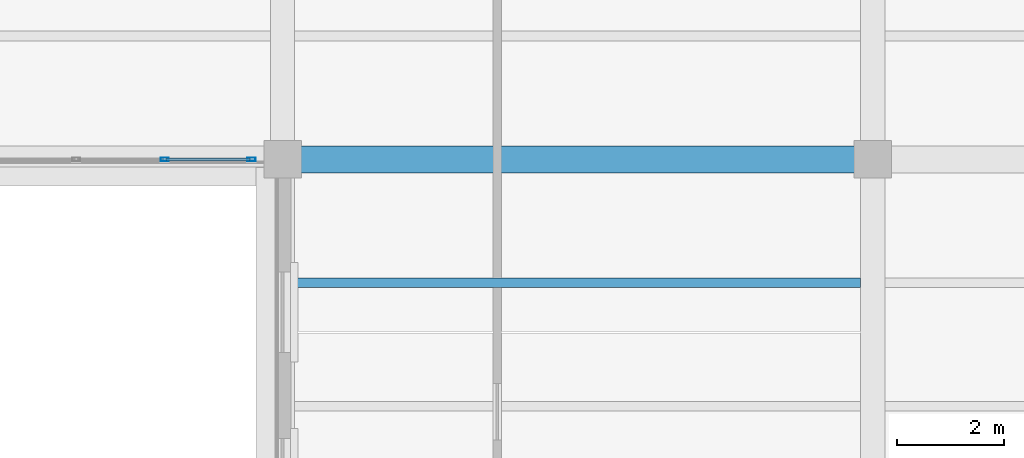
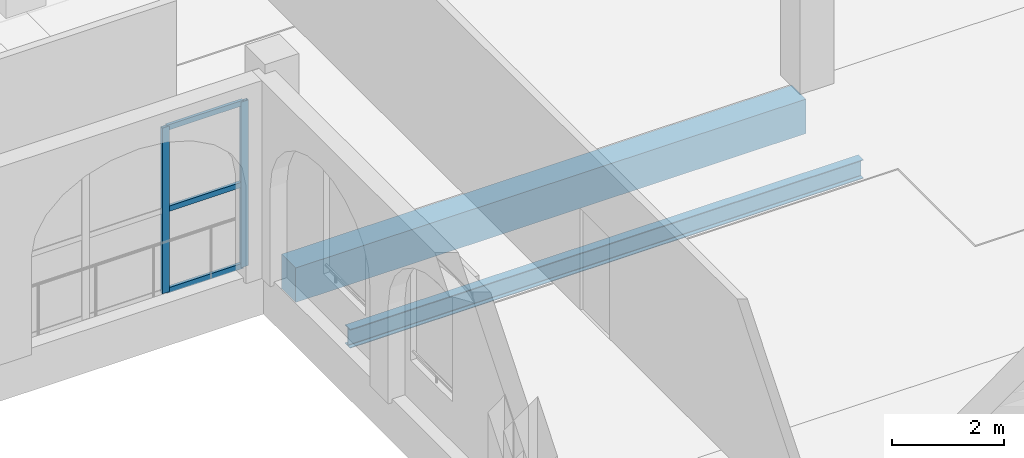
# One storey, part 58 of 156: 5 members, 2 beams, 1 element without a shape of its own.
"""IFC4 building model written with IfcOpenShell, lengths in metres."""

import ifcopenshell
import ifcopenshell.guid

model = None  # the IFC model being written
_history = None  # IfcOwnerHistory: only IFC2X3 demands one
_inside = {}  # id of a spatial element -> (the spatial element, [elements in it])
_under = {}  # id of a project, library or spatial element -> (it, [spatial elements below it])
_declared = {}  # id of a project -> (the project, [libraries it declares])
_typed = {}  # id of a type object -> (the type object, [elements of that type])
_made_of = {}  # id of a material, layer set ... -> (it, [elements and type objects made of it])


def new_model(schema):
    """Start an empty IFC model of exactly this schema.

    Asked for "IFC4X3", IfcOpenShell would pick the latest addendum, in which some entities
    have other attributes; the version numbers below select the first issue.
    IFC2X3 requires an IfcOwnerHistory on every rooted entity: one is made here for all.
    """
    global model, _history
    if schema == "IFC4X3":
        model = ifcopenshell.file(schema_version=(4, 3, 0, 0))
    else:
        model = ifcopenshell.file(schema=schema)
    _inside.clear()
    _under.clear()
    _declared.clear()
    _typed.clear()
    _made_of.clear()
    _history = None
    if model.schema == "IFC2X3":
        org = make("IfcOrganization", Name="unknown")
        user = make(
            "IfcPersonAndOrganization",
            ThePerson=make("IfcPerson", FamilyName="unknown"),
            TheOrganization=org,
        )
        app = make(
            "IfcApplication",
            ApplicationDeveloper=org,
            Version="unknown",
            ApplicationFullName="unknown",
            ApplicationIdentifier="unknown",
        )
        _history = make(
            "IfcOwnerHistory",
            OwningUser=user,
            OwningApplication=app,
            ChangeAction="ADDED",
            CreationDate=0,
        )
    return model


def make(cls, **values):
    """One entity of the class cls with the attributes given. An attribute that is None is left unset."""
    return model.create_entity(
        cls, **{name: value for name, value in values.items() if value is not None}
    )


def rooted(cls, **values):
    """An entity with a GlobalId (a new one), such as an element, a storey or a relation."""
    return make(cls, GlobalId=ifcopenshell.guid.new(), OwnerHistory=_history, **values)


def si_unit(unit_type, name, prefix=None):
    """IfcSIUnit, for example si_unit("LENGTHUNIT", "METRE", prefix="MILLI")."""
    return make("IfcSIUnit", UnitType=unit_type, Prefix=prefix, Name=name)


def assignment(units):
    """IfcUnitAssignment: the units of a project."""
    return None if units is None else make("IfcUnitAssignment", Units=units)


def point(xyz):
    """IfcCartesianPoint."""
    return None if xyz is None else make("IfcCartesianPoint", Coordinates=xyz)


def direction(xyz):
    """IfcDirection."""
    return None if xyz is None else make("IfcDirection", DirectionRatios=xyz)


def frame(location, z_axis=None, x_axis=None):
    """IfcAxis2Placement3D, a coordinate frame: its origin and axes. An axis left out is left unset."""
    return make(
        "IfcAxis2Placement3D",
        Location=point(location),
        Axis=direction(z_axis),
        RefDirection=direction(x_axis),
    )


def frame_2d(location, x_axis=None):
    """IfcAxis2Placement2D, a coordinate frame in the plane: its origin and x axis."""
    return make(
        "IfcAxis2Placement2D", Location=point(location), RefDirection=direction(x_axis)
    )


def origin():
    """The frame at (0, 0, 0) with its axes left unset."""
    return frame((0.0, 0.0, 0.0))


def origin_2d():
    """The frame at (0, 0) in the plane with its x axis left unset."""
    return frame_2d((0.0, 0.0))


def place(relative_to, where):
    """IfcLocalPlacement: puts the frame where relative to a parent placement (None: the world)."""
    return make(
        "IfcLocalPlacement", PlacementRelTo=relative_to, RelativePlacement=where
    )


def context(
    kind, dimensions, precision=None, world=None, true_north=None, identifier=None
):
    """IfcGeometricRepresentationContext, for example the 3D "Model" context."""
    return make(
        "IfcGeometricRepresentationContext",
        ContextIdentifier=identifier,
        ContextType=kind,
        CoordinateSpaceDimension=dimensions,
        Precision=precision,
        WorldCoordinateSystem=world,
        TrueNorth=true_north,
    )


def subcontext(parent, identifier, kind, view, scale=None):
    """IfcGeometricRepresentationSubContext, for example "Body" below "Model"."""
    return make(
        "IfcGeometricRepresentationSubContext",
        ContextIdentifier=identifier,
        ContextType=kind,
        ParentContext=parent,
        TargetScale=scale,
        TargetView=view,
    )


def project(units=None, contexts=None):
    """IfcProject with its units and contexts."""
    return rooted(
        "IfcProject",
        Name="project",
        RepresentationContexts=contexts,
        UnitsInContext=assignment(units),
    )


def spatial(cls, under=None, at=None, **own):
    """A site, building, storey or space (cls), placed at a placement, below another one or the project."""
    s = rooted(cls, ObjectPlacement=at, **own)
    if under is not None:
        _under.setdefault(under.id(), (under, []))[1].append(s)
    return s


def profile(cls, at=None, kind="AREA", **sizes):
    """A parametric profile (cls). Its sizes go by their IFC names, for example OverallWidth=200.0."""
    return make(cls, ProfileType=kind, Position=at, **sizes)


def rectangle(**sizes):
    """IfcRectangleProfileDef."""
    return profile("IfcRectangleProfileDef", **sizes)


def hollow_rectangle(**sizes):
    """IfcRectangleHollowProfileDef."""
    return profile("IfcRectangleHollowProfileDef", **sizes)


def i_section(**sizes):
    """IfcIShapeProfileDef."""
    return profile("IfcIShapeProfileDef", **sizes)


def extrude(swept, where, along, depth):
    """IfcExtrudedAreaSolid: the profile swept, set in the frame where, extruded along a direction by depth."""
    return make(
        "IfcExtrudedAreaSolid",
        SweptArea=swept,
        Position=where,
        ExtrudedDirection=direction(along),
        Depth=depth,
    )


def shape(context_of_items, identifier, shape_type, items):
    """IfcShapeRepresentation: the items that make up one representation, for example the "Body"."""
    return make(
        "IfcShapeRepresentation",
        ContextOfItems=context_of_items,
        RepresentationIdentifier=identifier,
        RepresentationType=shape_type,
        Items=items,
    )


def material(Name=None, Category=None):
    """IfcMaterial."""
    return make("IfcMaterial", Name=Name, Category=Category)


def material_profile(
    of_material, cross_section, Name=None, Category=None, Priority=None
):
    """IfcMaterialProfile: a cross section and its material."""
    return make(
        "IfcMaterialProfile",
        Name=Name,
        Material=of_material,
        Profile=cross_section,
        Priority=Priority,
        Category=Category,
    )


def profile_set(profiles, Name=None, composite=None):
    """IfcMaterialProfileSet."""
    return make(
        "IfcMaterialProfileSet",
        Name=Name,
        MaterialProfiles=profiles,
        CompositeProfile=composite,
    )


def made_of(thing, what):
    """Note that an element or type object is made of a material, layer set ...; save() writes the relation."""
    if what is not None:
        _made_of.setdefault(what.id(), (what, []))[1].append(thing)
    return thing


def type_object(cls, material=None, **own):
    """A type object (cls), such as IfcWallType, which elements share."""
    return made_of(rooted(cls, **own), material)


def element(
    cls,
    number,
    at=None,
    inside=None,
    cuts=None,
    type_object=None,
    material=None,
    context=None,
    identifier="Body",
    shape_type=None,
    held_by="IfcProductDefinitionShape",
    body=None,
    shapes=None,
    **own,
):
    """One element of the class cls, such as IfcWall. Its Tag is "e" and its number.

    at: its placement. inside: the storey or other place that contains it. cuts: it is an
    opening in that element (IfcRelVoidsElement). A single representation is given by context,
    identifier, shape_type and body (its items); several are given by shapes. held_by: the class
    of the entity that holds the representations. save() writes the other relations.
    """
    e = rooted(cls, Tag="e%d" % number, ObjectPlacement=at, **own)
    if body is not None:
        shapes = [shape(context, identifier, shape_type, body)]
    if shapes is not None:
        e.Representation = make(held_by, Representations=shapes)
    if inside is not None:
        _inside.setdefault(inside.id(), (inside, []))[1].append(e)
    if cuts is not None:
        rooted(
            "IfcRelVoidsElement", RelatingBuildingElement=cuts, RelatedOpeningElement=e
        )
    if type_object is not None:
        _typed.setdefault(type_object.id(), (type_object, []))[1].append(e)
    return made_of(e, material)


def aggregate(whole, parts):
    """IfcRelAggregates: a whole, such as a stair, and the parts it consists of."""
    return rooted("IfcRelAggregates", RelatingObject=whole, RelatedObjects=parts)


def save(model, path):
    """Write the relations noted so far, then the file.

    IfcRelAggregates (storeys below a building ...), IfcRelContainedInSpatialStructure (elements
    in a storey), IfcRelDefinesByType, IfcRelAssociatesMaterial and IfcRelDeclares: one each for
    every whole, place, type object, material and project.
    """
    for whole, parts in _under.values():
        aggregate(whole, parts)
    for where, things in _inside.values():
        rooted(
            "IfcRelContainedInSpatialStructure",
            RelatedElements=things,
            RelatingStructure=where,
        )
    for kind, things in _typed.values():
        rooted("IfcRelDefinesByType", RelatedObjects=things, RelatingType=kind)
    for what, things in _made_of.values():
        rooted("IfcRelAssociatesMaterial", RelatedObjects=things, RelatingMaterial=what)
    for by, libraries in _declared.values():
        rooted("IfcRelDeclares", RelatingContext=by, RelatedDefinitions=libraries)
    model.write(path)


model = new_model("IFC4")

# Units and contexts
model_context = context("Model", 3, precision=1e-05, world=origin(), true_north=direction((0.0, 1.0)))
body_context = subcontext(model_context, "Body", "Model", "MODEL_VIEW")
ifc_project = project(units=[si_unit("LENGTHUNIT", "METRE"), si_unit("AREAUNIT", "SQUARE_METRE"), si_unit("VOLUMEUNIT", "CUBIC_METRE"), si_unit("PLANEANGLEUNIT", "RADIAN"), si_unit("MASSUNIT", "GRAM", prefix="KILO")], contexts=[model_context])

# Site, building, storey
site_placement = place(None, origin())
site = spatial("IfcSite", under=ifc_project, at=site_placement, CompositionType="ELEMENT")
building_placement = place(site_placement, origin())
building = spatial("IfcBuilding", under=site, at=building_placement, Name="Caurita Quay Ferry Terminal", CompositionType="ELEMENT")
storey_placement = place(building_placement, frame((0.0, 0.0, 5.39990234375)))
storey = spatial("IfcBuildingStorey", under=building, at=storey_placement, Name="L01", CompositionType="ELEMENT", Elevation=5.39990234375)

# Beams
ifc_material_1 = material(Name="Structural steel ASTM A992 Gr. 50", Category="steel")
ifc_material_profile_1 = material_profile(ifc_material_1, i_section(OverallWidth=0.1787109375, OverallDepth=0.408935546875, WebThickness=0.0087890625, FlangeThickness=0.014404296875, FilletRadius=0.011474609375, at=origin_2d()), Name="W16X45")
ifc_profile_set_1 = profile_set([ifc_material_profile_1], Name="Structural steel ASTM A992 Gr. 50")
beam_type_1 = type_object("IfcBeamType", Name="BM-JS-W16A", PredefinedType="JOIST", material=ifc_profile_set_1)
beam_1_placement = place(storey_placement, frame((66.22509765625, 105.5, -0.42431640625), z_axis=(1.0, 0.0, 0.0), x_axis=(0.0, 1.0, 0.0)))
element("IfcBeam", 1, at=beam_1_placement, inside=storey, type_object=beam_type_1, Name="L01 Beam JS-V5-L01-048", PredefinedType="JOIST", context=body_context, shape_type="SweptSolid", body=[
    extrude(i_section(OverallWidth=0.1787109375, OverallDepth=0.408935546875, WebThickness=0.0087890625, FlangeThickness=0.014404296875, FilletRadius=0.011474609375, at=origin_2d()), origin(), (0.0, 0.0, 1.0), 10.5498046875),
])
ifc_material_2 = material(Name="Reinforced concrete C35/45", Category="concrete")
ifc_material_profile_2 = material_profile(ifc_material_2, rectangle(XDim=0.5, YDim=0.75, at=origin_2d()), Name="RC-BM-500X750")
ifc_profile_set_2 = profile_set([ifc_material_profile_2], Name="Reinforced concrete C35/45")
beam_type_2 = type_object("IfcBeamType", Name="BM-RC-5075", PredefinedType="BEAM", material=ifc_profile_set_2)
beam_2_placement = place(storey_placement, frame((66.340087890625, 107.800048828125, -0.594970703125), z_axis=(1.0, 0.0, 0.0), x_axis=(0.0, 1.0, 0.0)))
element("IfcBeam", 2, at=beam_2_placement, inside=storey, type_object=beam_type_2, Name="L01 Beam BM-V5-L01-X-663-1078", PredefinedType="BEAM", context=body_context, shape_type="SweptSolid", body=[
    extrude(rectangle(XDim=0.5, YDim=0.75, at=origin_2d()), origin(), (0.0, 0.0, 1.0), 10.485107421875),
])

# Curtain wall, members
ifc_material_3 = material(Name="Laminated solar-control insulated glass", Category="glass")
curtain_wall_type = type_object("IfcCurtainWallType", Name="CW-SYS-23", PredefinedType="NOTDEFINED", material=ifc_material_3)
curtain_wall_placement = place(storey_placement, origin())
curtain_wall = element("IfcCurtainWall", 3, at=curtain_wall_placement, inside=storey, type_object=curtain_wall_type, Name="L01 Courtyard Cloister Storefront 163", PredefinedType="NOTDEFINED")
ifc_material_4 = material(Name="Anodized aluminium 6063-T6", Category="aluminium")
ifc_material_profile_3 = material_profile(ifc_material_4, hollow_rectangle(XDim=0.06005859375, YDim=0.14990234375, WallThickness=0.00341796875, at=origin_2d()), Name="ALU-MUL-60X150")
ifc_profile_set_3 = profile_set([ifc_material_profile_3], Name="Anodized aluminium 6063-T6")
member_type_1 = type_object("IfcMemberType", Name="CW-MUL-150", PredefinedType="MULLION", material=ifc_profile_set_3)
member_1_placement = place(storey_placement, frame((63.800048828125, 107.800048828125, 0.0), z_axis=(0.0, 0.0, 1.0), x_axis=(0.0, 1.0, 0.0)))
member_1 = element("IfcMember", 4, at=member_1_placement, type_object=member_type_1, Name="CW-CRT-163 Mullion 6", PredefinedType="MULLION", context=body_context, shape_type="SweptSolid", body=[
    extrude(hollow_rectangle(XDim=0.06005859375, YDim=0.14990234375, WallThickness=0.00341796875, at=origin_2d()), origin(), (0.0, 0.0, 1.0), 3.60009765625),
])
member_2_placement = place(storey_placement, frame((65.419921875, 107.800048828125, 0.0), z_axis=(0.0, 0.0, 1.0), x_axis=(0.0, 1.0, 0.0)))
member_2 = element("IfcMember", 5, at=member_2_placement, type_object=member_type_1, Name="CW-CRT-163 Mullion 7", PredefinedType="MULLION", context=body_context, shape_type="SweptSolid", body=[
    extrude(hollow_rectangle(XDim=0.06005859375, YDim=0.14990234375, WallThickness=0.00341796875, at=origin_2d()), origin(), (0.0, 0.0, 1.0), 3.60009765625),
])
ifc_material_profile_4 = material_profile(ifc_material_4, hollow_rectangle(XDim=0.06005859375, YDim=0.114990234375, WallThickness=0.00341796875, at=origin_2d()), Name="ALU-TRN-60X115")
ifc_profile_set_4 = profile_set([ifc_material_profile_4], Name="Anodized aluminium 6063-T6")
member_type_2 = type_object("IfcMemberType", Name="CW-TRN-115", PredefinedType="USERDEFINED", material=ifc_profile_set_4)
member_3_placement = place(storey_placement, frame((63.827880859375, 107.800048828125, 0.030029296875), z_axis=(1.0, 0.0, 0.0), x_axis=(0.0, 1.0, 0.0)))
member_3 = element("IfcMember", 6, at=member_3_placement, type_object=member_type_2, Name="CW-CRT-163 Transom 16", ObjectType="TRANSOM", PredefinedType="USERDEFINED", context=body_context, shape_type="SweptSolid", body=[
    extrude(hollow_rectangle(XDim=0.06005859375, YDim=0.114990234375, WallThickness=0.00341796875, at=origin_2d()), origin(), (0.0, 0.0, 1.0), 1.564208984375),
])
member_4_placement = place(storey_placement, frame((63.827880859375, 107.800048828125, 1.800048828125), z_axis=(1.0, 0.0, 0.0), x_axis=(0.0, 1.0, 0.0)))
member_4 = element("IfcMember", 7, at=member_4_placement, type_object=member_type_2, Name="CW-CRT-163 Transom 17", ObjectType="TRANSOM", PredefinedType="USERDEFINED", context=body_context, shape_type="SweptSolid", body=[
    extrude(hollow_rectangle(XDim=0.06005859375, YDim=0.114990234375, WallThickness=0.00341796875, at=origin_2d()), origin(), (0.0, 0.0, 1.0), 1.564208984375),
])
member_5_placement = place(storey_placement, frame((63.827880859375, 107.800048828125, 3.570068359375), z_axis=(1.0, 0.0, 0.0), x_axis=(0.0, 1.0, 0.0)))
member_5 = element("IfcMember", 8, at=member_5_placement, type_object=member_type_2, Name="CW-CRT-163 Transom 18", ObjectType="TRANSOM", PredefinedType="USERDEFINED", context=body_context, shape_type="SweptSolid", body=[
    extrude(hollow_rectangle(XDim=0.06005859375, YDim=0.114990234375, WallThickness=0.00341796875, at=origin_2d()), origin(), (0.0, 0.0, 1.0), 1.564208984375),
])
aggregate(curtain_wall, [member_1, member_2, member_3, member_4, member_5])

save(model, "model.ifc")
